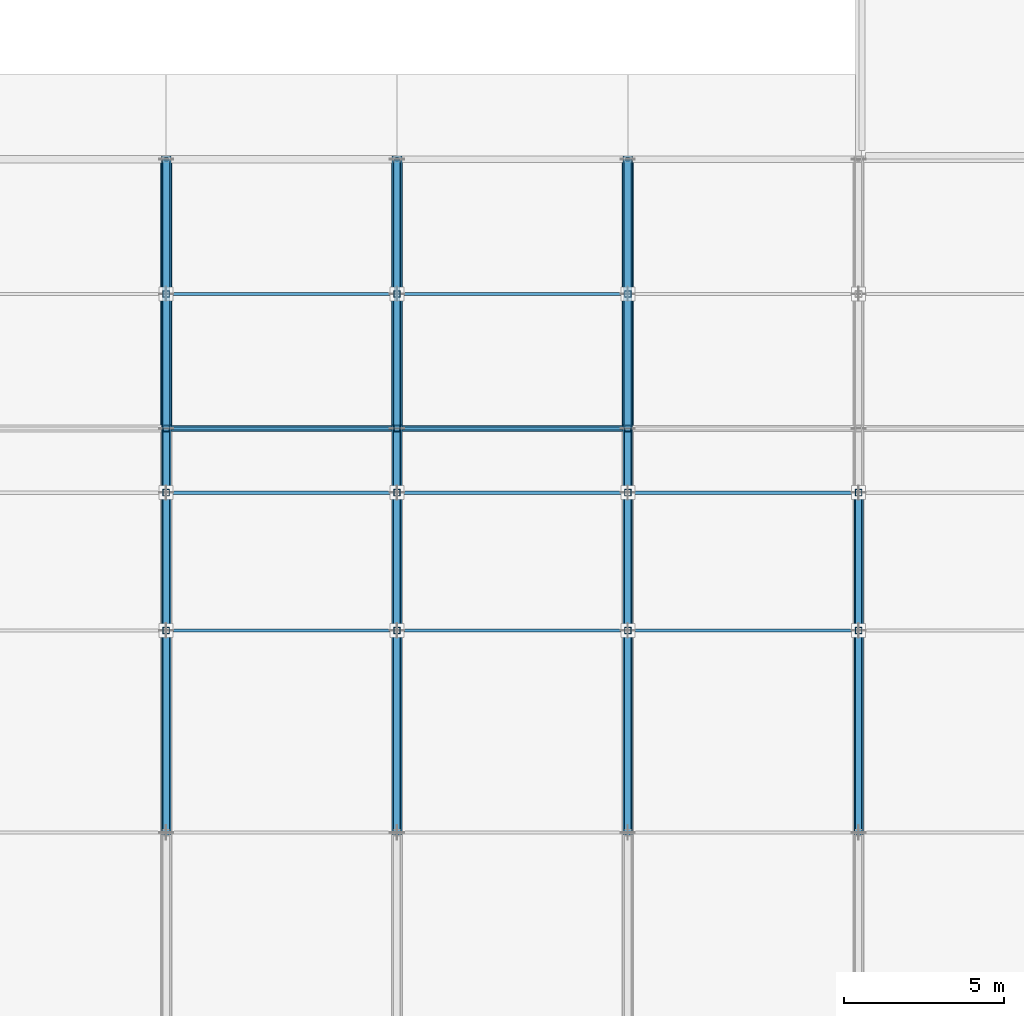
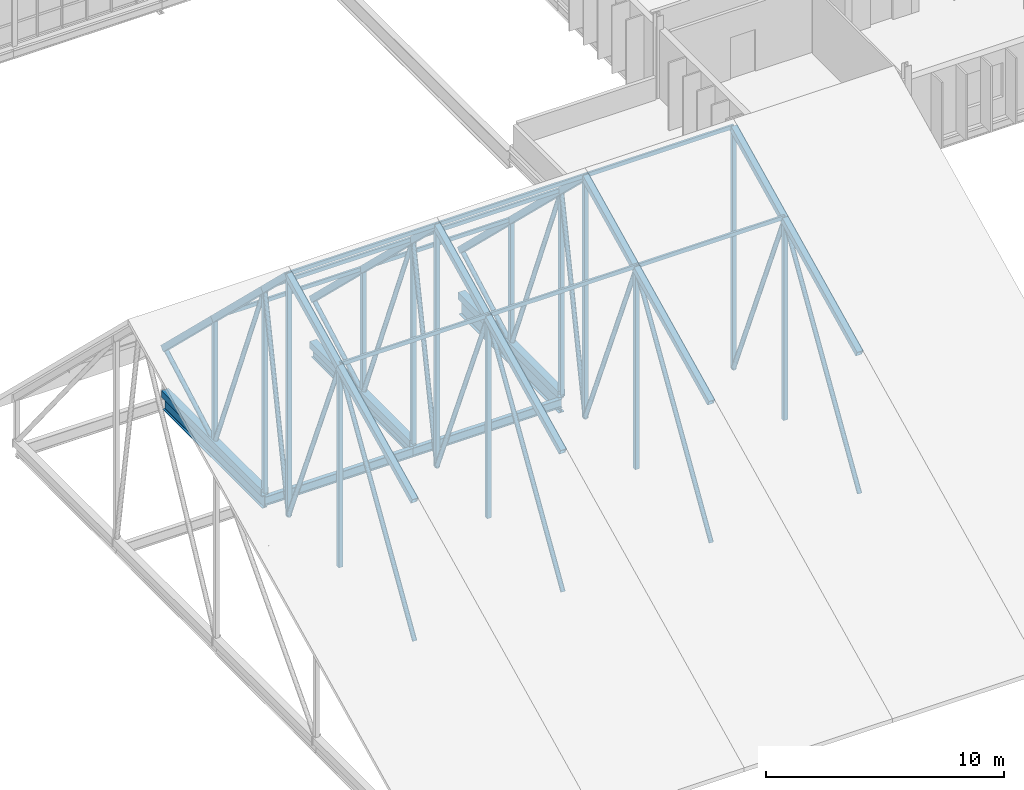
# One storey, part 27 of 99: 61 members, 5 beams.
"""IFC4 building model written with IfcOpenShell, lengths in metres."""

import ifcopenshell
import ifcopenshell.guid

model = None  # the IFC model being written
_history = None  # IfcOwnerHistory: only IFC2X3 demands one
_inside = {}  # id of a spatial element -> (the spatial element, [elements in it])
_under = {}  # id of a project, library or spatial element -> (it, [spatial elements below it])
_declared = {}  # id of a project -> (the project, [libraries it declares])
_typed = {}  # id of a type object -> (the type object, [elements of that type])
_made_of = {}  # id of a material, layer set ... -> (it, [elements and type objects made of it])


def new_model(schema):
    """Start an empty IFC model of exactly this schema.

    Asked for "IFC4X3", IfcOpenShell would pick the latest addendum, in which some entities
    have other attributes; the version numbers below select the first issue.
    IFC2X3 requires an IfcOwnerHistory on every rooted entity: one is made here for all.
    """
    global model, _history
    if schema == "IFC4X3":
        model = ifcopenshell.file(schema_version=(4, 3, 0, 0))
    else:
        model = ifcopenshell.file(schema=schema)
    _inside.clear()
    _under.clear()
    _declared.clear()
    _typed.clear()
    _made_of.clear()
    _history = None
    if model.schema == "IFC2X3":
        org = make("IfcOrganization", Name="unknown")
        user = make(
            "IfcPersonAndOrganization",
            ThePerson=make("IfcPerson", FamilyName="unknown"),
            TheOrganization=org,
        )
        app = make(
            "IfcApplication",
            ApplicationDeveloper=org,
            Version="unknown",
            ApplicationFullName="unknown",
            ApplicationIdentifier="unknown",
        )
        _history = make(
            "IfcOwnerHistory",
            OwningUser=user,
            OwningApplication=app,
            ChangeAction="ADDED",
            CreationDate=0,
        )
    return model


def make(cls, **values):
    """One entity of the class cls with the attributes given. An attribute that is None is left unset."""
    return model.create_entity(
        cls, **{name: value for name, value in values.items() if value is not None}
    )


def rooted(cls, **values):
    """An entity with a GlobalId (a new one), such as an element, a storey or a relation."""
    return make(cls, GlobalId=ifcopenshell.guid.new(), OwnerHistory=_history, **values)


def si_unit(unit_type, name, prefix=None):
    """IfcSIUnit, for example si_unit("LENGTHUNIT", "METRE", prefix="MILLI")."""
    return make("IfcSIUnit", UnitType=unit_type, Prefix=prefix, Name=name)


def assignment(units):
    """IfcUnitAssignment: the units of a project."""
    return None if units is None else make("IfcUnitAssignment", Units=units)


def point(xyz):
    """IfcCartesianPoint."""
    return None if xyz is None else make("IfcCartesianPoint", Coordinates=xyz)


def direction(xyz):
    """IfcDirection."""
    return None if xyz is None else make("IfcDirection", DirectionRatios=xyz)


def frame(location, z_axis=None, x_axis=None):
    """IfcAxis2Placement3D, a coordinate frame: its origin and axes. An axis left out is left unset."""
    return make(
        "IfcAxis2Placement3D",
        Location=point(location),
        Axis=direction(z_axis),
        RefDirection=direction(x_axis),
    )


def frame_2d(location, x_axis=None):
    """IfcAxis2Placement2D, a coordinate frame in the plane: its origin and x axis."""
    return make(
        "IfcAxis2Placement2D", Location=point(location), RefDirection=direction(x_axis)
    )


def origin():
    """The frame at (0, 0, 0) with its axes left unset."""
    return frame((0.0, 0.0, 0.0))


def origin_2d():
    """The frame at (0, 0) in the plane with its x axis left unset."""
    return frame_2d((0.0, 0.0))


def place(relative_to, where):
    """IfcLocalPlacement: puts the frame where relative to a parent placement (None: the world)."""
    return make(
        "IfcLocalPlacement", PlacementRelTo=relative_to, RelativePlacement=where
    )


def context(
    kind, dimensions, precision=None, world=None, true_north=None, identifier=None
):
    """IfcGeometricRepresentationContext, for example the 3D "Model" context."""
    return make(
        "IfcGeometricRepresentationContext",
        ContextIdentifier=identifier,
        ContextType=kind,
        CoordinateSpaceDimension=dimensions,
        Precision=precision,
        WorldCoordinateSystem=world,
        TrueNorth=true_north,
    )


def subcontext(parent, identifier, kind, view, scale=None):
    """IfcGeometricRepresentationSubContext, for example "Body" below "Model"."""
    return make(
        "IfcGeometricRepresentationSubContext",
        ContextIdentifier=identifier,
        ContextType=kind,
        ParentContext=parent,
        TargetScale=scale,
        TargetView=view,
    )


def project(units=None, contexts=None):
    """IfcProject with its units and contexts."""
    return rooted(
        "IfcProject",
        Name="project",
        RepresentationContexts=contexts,
        UnitsInContext=assignment(units),
    )


def spatial(cls, under=None, at=None, **own):
    """A site, building, storey or space (cls), placed at a placement, below another one or the project."""
    s = rooted(cls, ObjectPlacement=at, **own)
    if under is not None:
        _under.setdefault(under.id(), (under, []))[1].append(s)
    return s


def profile(cls, at=None, kind="AREA", **sizes):
    """A parametric profile (cls). Its sizes go by their IFC names, for example OverallWidth=200.0."""
    return make(cls, ProfileType=kind, Position=at, **sizes)


def hollow_rectangle(**sizes):
    """IfcRectangleHollowProfileDef."""
    return profile("IfcRectangleHollowProfileDef", **sizes)


def hollow_circle(**sizes):
    """IfcCircleHollowProfileDef."""
    return profile("IfcCircleHollowProfileDef", **sizes)


def i_section(**sizes):
    """IfcIShapeProfileDef."""
    return profile("IfcIShapeProfileDef", **sizes)


def extrude(swept, where, along, depth):
    """IfcExtrudedAreaSolid: the profile swept, set in the frame where, extruded along a direction by depth."""
    return make(
        "IfcExtrudedAreaSolid",
        SweptArea=swept,
        Position=where,
        ExtrudedDirection=direction(along),
        Depth=depth,
    )


def shape(context_of_items, identifier, shape_type, items):
    """IfcShapeRepresentation: the items that make up one representation, for example the "Body"."""
    return make(
        "IfcShapeRepresentation",
        ContextOfItems=context_of_items,
        RepresentationIdentifier=identifier,
        RepresentationType=shape_type,
        Items=items,
    )


def material(Name=None, Category=None):
    """IfcMaterial."""
    return make("IfcMaterial", Name=Name, Category=Category)


def material_profile(
    of_material, cross_section, Name=None, Category=None, Priority=None
):
    """IfcMaterialProfile: a cross section and its material."""
    return make(
        "IfcMaterialProfile",
        Name=Name,
        Material=of_material,
        Profile=cross_section,
        Priority=Priority,
        Category=Category,
    )


def profile_set(profiles, Name=None, composite=None):
    """IfcMaterialProfileSet."""
    return make(
        "IfcMaterialProfileSet",
        Name=Name,
        MaterialProfiles=profiles,
        CompositeProfile=composite,
    )


def made_of(thing, what):
    """Note that an element or type object is made of a material, layer set ...; save() writes the relation."""
    if what is not None:
        _made_of.setdefault(what.id(), (what, []))[1].append(thing)
    return thing


def type_object(cls, material=None, **own):
    """A type object (cls), such as IfcWallType, which elements share."""
    return made_of(rooted(cls, **own), material)


def element(
    cls,
    number,
    at=None,
    inside=None,
    cuts=None,
    type_object=None,
    material=None,
    context=None,
    identifier="Body",
    shape_type=None,
    held_by="IfcProductDefinitionShape",
    body=None,
    shapes=None,
    **own,
):
    """One element of the class cls, such as IfcWall. Its Tag is "e" and its number.

    at: its placement. inside: the storey or other place that contains it. cuts: it is an
    opening in that element (IfcRelVoidsElement). A single representation is given by context,
    identifier, shape_type and body (its items); several are given by shapes. held_by: the class
    of the entity that holds the representations. save() writes the other relations.
    """
    e = rooted(cls, Tag="e%d" % number, ObjectPlacement=at, **own)
    if body is not None:
        shapes = [shape(context, identifier, shape_type, body)]
    if shapes is not None:
        e.Representation = make(held_by, Representations=shapes)
    if inside is not None:
        _inside.setdefault(inside.id(), (inside, []))[1].append(e)
    if cuts is not None:
        rooted(
            "IfcRelVoidsElement", RelatingBuildingElement=cuts, RelatedOpeningElement=e
        )
    if type_object is not None:
        _typed.setdefault(type_object.id(), (type_object, []))[1].append(e)
    return made_of(e, material)


def aggregate(whole, parts):
    """IfcRelAggregates: a whole, such as a stair, and the parts it consists of."""
    return rooted("IfcRelAggregates", RelatingObject=whole, RelatedObjects=parts)


def save(model, path):
    """Write the relations noted so far, then the file.

    IfcRelAggregates (storeys below a building ...), IfcRelContainedInSpatialStructure (elements
    in a storey), IfcRelDefinesByType, IfcRelAssociatesMaterial and IfcRelDeclares: one each for
    every whole, place, type object, material and project.
    """
    for whole, parts in _under.values():
        aggregate(whole, parts)
    for where, things in _inside.values():
        rooted(
            "IfcRelContainedInSpatialStructure",
            RelatedElements=things,
            RelatingStructure=where,
        )
    for kind, things in _typed.values():
        rooted("IfcRelDefinesByType", RelatedObjects=things, RelatingType=kind)
    for what, things in _made_of.values():
        rooted("IfcRelAssociatesMaterial", RelatedObjects=things, RelatingMaterial=what)
    for by, libraries in _declared.values():
        rooted("IfcRelDeclares", RelatingContext=by, RelatedDefinitions=libraries)
    model.write(path)


model = new_model("IFC4")

# Units and contexts
model_context = context("Model", 3, precision=1e-05, world=origin(), true_north=direction((0.0, 1.0)))
body_context = subcontext(model_context, "Body", "Model", "MODEL_VIEW")
ifc_project = project(units=[si_unit("LENGTHUNIT", "METRE"), si_unit("AREAUNIT", "SQUARE_METRE"), si_unit("VOLUMEUNIT", "CUBIC_METRE"), si_unit("PLANEANGLEUNIT", "RADIAN"), si_unit("MASSUNIT", "GRAM", prefix="KILO")], contexts=[model_context])

# Site, building, storey
site_placement = place(None, origin())
site = spatial("IfcSite", under=ifc_project, at=site_placement, CompositionType="ELEMENT")
building_placement = place(site_placement, origin())
building = spatial("IfcBuilding", under=site, at=building_placement, Name="Qelthora Terrace Specialist Clinic", CompositionType="ELEMENT")
storey_placement = place(building_placement, frame((0.0, 0.0, 9.0)))
storey = spatial("IfcBuildingStorey", under=building, at=storey_placement, Name="L02", CompositionType="ELEMENT", Elevation=9.0)

# Beams
ifc_material = material(Name="Steel S355", Category="steel")
ifc_material_profile_1 = material_profile(ifc_material, i_section(OverallWidth=0.19091796875, OverallDepth=0.4599609375, WebThickness=0.010009765625, FlangeThickness=0.01611328125, FilletRadius=0.012939453125, at=origin_2d()), Name="W460X82")
ifc_profile_set_1 = profile_set([ifc_material_profile_1], Name="Steel S355")
beam_type_1 = type_object("IfcBeamType", Name="BM-W460X82", PredefinedType="BEAM", material=ifc_profile_set_1)
beam_1_placement = place(storey_placement, frame((72.0, 25.199951171875, -0.47998046875), z_axis=(1.0, 0.0, 0.0), x_axis=(0.0, 1.0, 0.0)))
element("IfcBeam", 1, at=beam_1_placement, inside=storey, type_object=beam_type_1, Name="Girder BMX-L02-0596", PredefinedType="BEAM", context=body_context, shape_type="SweptSolid", body=[
    extrude(i_section(OverallWidth=0.19091796875, OverallDepth=0.4599609375, WebThickness=0.010009765625, FlangeThickness=0.01611328125, FilletRadius=0.012939453125, at=origin_2d()), origin(), (0.0, 0.0, 1.0), 7.199951171875),
])
beam_2_placement = place(storey_placement, frame((72.0, 25.199951171875, -0.47998046875), z_axis=(0.0, 1.0, 0.0), x_axis=(-1.0, 0.0, 0.0)))
element("IfcBeam", 2, at=beam_2_placement, inside=storey, type_object=beam_type_1, Name="Girder BMY-L02-0818", PredefinedType="BEAM", context=body_context, shape_type="SweptSolid", body=[
    extrude(i_section(OverallWidth=0.19091796875, OverallDepth=0.4599609375, WebThickness=0.010009765625, FlangeThickness=0.01611328125, FilletRadius=0.012939453125, at=origin_2d()), origin(), (0.0, 0.0, 1.0), 8.400146484375),
])
ifc_material_profile_2 = material_profile(ifc_material, i_section(OverallWidth=0.193115234375, OverallDepth=0.466064453125, WebThickness=0.011474609375, FlangeThickness=0.01904296875, FilletRadius=0.012939453125, at=origin_2d()), Name="W460X97")
ifc_profile_set_2 = profile_set([ifc_material_profile_2], Name="Steel S355")
beam_type_2 = type_object("IfcBeamType", Name="BM-W460X97", PredefinedType="BEAM", material=ifc_profile_set_2)
beam_3_placement = place(storey_placement, frame((64.800048828125, 25.199951171875, -0.48291015625), z_axis=(1.0, 0.0, 0.0), x_axis=(0.0, 1.0, 0.0)))
element("IfcBeam", 3, at=beam_3_placement, inside=storey, type_object=beam_type_2, Name="Girder BMX-L02-0595", PredefinedType="BEAM", context=body_context, shape_type="SweptSolid", body=[
    extrude(i_section(OverallWidth=0.193115234375, OverallDepth=0.466064453125, WebThickness=0.011474609375, FlangeThickness=0.01904296875, FilletRadius=0.012939453125, at=origin_2d()), origin(), (0.0, 0.0, 1.0), 7.199951171875),
])
ifc_material_profile_3 = material_profile(ifc_material, i_section(OverallWidth=0.22998046875, OverallDepth=0.616943359375, WebThickness=0.01318359375, FlangeThickness=0.022216796875, FilletRadius=0.01611328125, at=origin_2d()), Name="W610X140")
ifc_profile_set_3 = profile_set([ifc_material_profile_3], Name="Steel S355")
beam_type_3 = type_object("IfcBeamType", Name="BM-W610X140", PredefinedType="BEAM", material=ifc_profile_set_3)
beam_4_placement = place(storey_placement, frame((64.800048828125, 25.199951171875, -0.55859375), z_axis=(0.0, 1.0, 0.0), x_axis=(-1.0, 0.0, 0.0)))
element("IfcBeam", 4, at=beam_4_placement, inside=storey, type_object=beam_type_3, Name="Girder BMY-L02-0814", PredefinedType="BEAM", context=body_context, shape_type="SweptSolid", body=[
    extrude(i_section(OverallWidth=0.22998046875, OverallDepth=0.616943359375, WebThickness=0.01318359375, FlangeThickness=0.022216796875, FilletRadius=0.01611328125, at=origin_2d()), origin(), (0.0, 0.0, 1.0), 8.400146484375),
])
ifc_material_profile_4 = material_profile(ifc_material, i_section(OverallWidth=0.26806640625, OverallDepth=0.77001953125, WebThickness=0.015625, FlangeThickness=0.025390625, FilletRadius=0.01904296875, at=origin_2d()), Name="W760X196")
ifc_profile_set_4 = profile_set([ifc_material_profile_4], Name="Steel S355")
beam_type_4 = type_object("IfcBeamType", Name="BM-W760X196", PredefinedType="BEAM", material=ifc_profile_set_4)
beam_5_placement = place(storey_placement, frame((79.199951171875, 25.199951171875, -0.635009765625), z_axis=(0.0, 1.0, 0.0), x_axis=(-1.0, 0.0, 0.0)))
element("IfcBeam", 5, at=beam_5_placement, inside=storey, type_object=beam_type_4, Name="Girder BMY-L02-0822", PredefinedType="BEAM", context=body_context, shape_type="SweptSolid", body=[
    extrude(i_section(OverallWidth=0.26806640625, OverallDepth=0.77001953125, WebThickness=0.015625, FlangeThickness=0.025390625, FilletRadius=0.01904296875, at=origin_2d()), origin(), (0.0, 0.0, 1.0), 8.400146484375),
])

# Members
ifc_material_profile_5 = material_profile(ifc_material, hollow_circle(Radius=0.109619140625, WallThickness=0.010009765625, at=origin_2d()), Name="CHS219X10")
ifc_profile_set_5 = profile_set([ifc_material_profile_5], Name="Steel S355")
member_type_1 = type_object("IfcMemberType", Name="MEM-BRACE-CHS219", PredefinedType="BRACE", material=ifc_profile_set_5)
member_1_placement = place(storey_placement, frame((64.800048828125, 12.60009765625, -0.050048828125), z_axis=(0.0, 0.523124328135, 0.852256380037), x_axis=(-1.0, 0.0, 0.0)))
element("IfcMember", 6, at=member_1_placement, inside=storey, type_object=member_type_1, Name="Hall roof truss TR-2 diagonal web 3", PredefinedType="BRACE", context=body_context, shape_type="SweptSolid", body=[
    extrude(hollow_circle(Radius=0.109619140625, WallThickness=0.010009765625, at=origin_2d()), origin(), (0.0, 0.0, 1.0), 12.042724609375),
])
member_2_placement = place(storey_placement, frame((64.800048828125, 18.89990234375, 10.21337890625), z_axis=(0.0, 0.386423305493, -0.922321543157), x_axis=(-1.0, 0.0, 0.0)))
element("IfcMember", 7, at=member_2_placement, inside=storey, type_object=member_type_1, Name="Hall roof truss TR-2 diagonal web 4", PredefinedType="BRACE", context=body_context, shape_type="SweptSolid", body=[
    extrude(hollow_circle(Radius=0.109619140625, WallThickness=0.010009765625, at=origin_2d()), origin(), (0.0, 0.0, 1.0), 11.1279296875),
])
member_3_placement = place(storey_placement, frame((64.800048828125, 23.199951171875, -0.050048828125), z_axis=(0.0, 0.188367218673, 0.982098666596), x_axis=(-1.0, 0.0, 0.0)))
element("IfcMember", 8, at=member_3_placement, inside=storey, type_object=member_type_1, Name="Hall roof truss TR-2 diagonal web 5", PredefinedType="BRACE", context=body_context, shape_type="SweptSolid", body=[
    extrude(hollow_circle(Radius=0.109619140625, WallThickness=0.010009765625, at=origin_2d()), origin(), (0.0, 0.0, 1.0), 10.61767578125),
])
member_4_placement = place(storey_placement, frame((64.800048828125, 25.199951171875, 10.37744140625), z_axis=(0.0, 0.373610064718, -0.927585855617), x_axis=(-1.0, 0.0, 0.0)))
element("IfcMember", 9, at=member_4_placement, inside=storey, type_object=member_type_1, Name="Hall roof truss TR-2 diagonal web 6", PredefinedType="BRACE", context=body_context, shape_type="SweptSolid", body=[
    extrude(hollow_circle(Radius=0.109619140625, WallThickness=0.010009765625, at=origin_2d()), origin(), (0.0, 0.0, 1.0), 11.241455078125),
])
member_5_placement = place(storey_placement, frame((64.800048828125, 29.39990234375, -0.050048828125), z_axis=(0.0, 0.876134179583, 0.482067318294), x_axis=(-1.0, 0.0, 0.0)))
element("IfcMember", 10, at=member_5_placement, inside=storey, type_object=member_type_1, Name="Hall roof truss TR-2 diagonal web 7", PredefinedType="BRACE", context=body_context, shape_type="SweptSolid", body=[
    extrude(hollow_circle(Radius=0.109619140625, WallThickness=0.010009765625, at=origin_2d()), origin(), (0.0, 0.0, 1.0), 4.7939453125),
])
member_6_placement = place(storey_placement, frame((72.0, 12.60009765625, -0.050048828125), z_axis=(0.0, 0.523124328135, 0.852256380037), x_axis=(-1.0, 0.0, 0.0)))
element("IfcMember", 11, at=member_6_placement, inside=storey, type_object=member_type_1, Name="Hall roof truss TR-3 diagonal web 3", PredefinedType="BRACE", context=body_context, shape_type="SweptSolid", body=[
    extrude(hollow_circle(Radius=0.109619140625, WallThickness=0.010009765625, at=origin_2d()), origin(), (0.0, 0.0, 1.0), 12.042724609375),
])
member_7_placement = place(storey_placement, frame((72.0, 18.89990234375, 10.21337890625), z_axis=(0.0, 0.386423305493, -0.922321543157), x_axis=(-1.0, 0.0, 0.0)))
element("IfcMember", 12, at=member_7_placement, inside=storey, type_object=member_type_1, Name="Hall roof truss TR-3 diagonal web 4", PredefinedType="BRACE", context=body_context, shape_type="SweptSolid", body=[
    extrude(hollow_circle(Radius=0.109619140625, WallThickness=0.010009765625, at=origin_2d()), origin(), (0.0, 0.0, 1.0), 11.1279296875),
])
member_8_placement = place(storey_placement, frame((72.0, 23.199951171875, -0.050048828125), z_axis=(0.0, 0.188367218673, 0.982098666596), x_axis=(-1.0, 0.0, 0.0)))
element("IfcMember", 13, at=member_8_placement, inside=storey, type_object=member_type_1, Name="Hall roof truss TR-3 diagonal web 5", PredefinedType="BRACE", context=body_context, shape_type="SweptSolid", body=[
    extrude(hollow_circle(Radius=0.109619140625, WallThickness=0.010009765625, at=origin_2d()), origin(), (0.0, 0.0, 1.0), 10.61767578125),
])
member_9_placement = place(storey_placement, frame((72.0, 25.199951171875, 10.37744140625), z_axis=(0.0, 0.373610064718, -0.927585855617), x_axis=(-1.0, 0.0, 0.0)))
element("IfcMember", 14, at=member_9_placement, inside=storey, type_object=member_type_1, Name="Hall roof truss TR-3 diagonal web 6", PredefinedType="BRACE", context=body_context, shape_type="SweptSolid", body=[
    extrude(hollow_circle(Radius=0.109619140625, WallThickness=0.010009765625, at=origin_2d()), origin(), (0.0, 0.0, 1.0), 11.241455078125),
])
member_10_placement = place(storey_placement, frame((72.0, 29.39990234375, -0.050048828125), z_axis=(0.0, 0.876134179583, 0.482067318294), x_axis=(-1.0, 0.0, 0.0)))
element("IfcMember", 15, at=member_10_placement, inside=storey, type_object=member_type_1, Name="Hall roof truss TR-3 diagonal web 7", PredefinedType="BRACE", context=body_context, shape_type="SweptSolid", body=[
    extrude(hollow_circle(Radius=0.109619140625, WallThickness=0.010009765625, at=origin_2d()), origin(), (0.0, 0.0, 1.0), 4.7939453125),
])
member_11_placement = place(storey_placement, frame((79.199951171875, 12.60009765625, -0.050048828125), z_axis=(0.0, 0.523124328135, 0.852256380037), x_axis=(-1.0, 0.0, 0.0)))
element("IfcMember", 16, at=member_11_placement, inside=storey, type_object=member_type_1, Name="Hall roof truss TR-4 diagonal web 3", PredefinedType="BRACE", context=body_context, shape_type="SweptSolid", body=[
    extrude(hollow_circle(Radius=0.109619140625, WallThickness=0.010009765625, at=origin_2d()), origin(), (0.0, 0.0, 1.0), 12.042724609375),
])
member_12_placement = place(storey_placement, frame((79.199951171875, 18.89990234375, 10.21337890625), z_axis=(0.0, 0.386423305493, -0.922321543157), x_axis=(-1.0, 0.0, 0.0)))
element("IfcMember", 17, at=member_12_placement, inside=storey, type_object=member_type_1, Name="Hall roof truss TR-4 diagonal web 4", PredefinedType="BRACE", context=body_context, shape_type="SweptSolid", body=[
    extrude(hollow_circle(Radius=0.109619140625, WallThickness=0.010009765625, at=origin_2d()), origin(), (0.0, 0.0, 1.0), 11.1279296875),
])
member_13_placement = place(storey_placement, frame((79.199951171875, 23.199951171875, -0.050048828125), z_axis=(0.0, 0.188367218673, 0.982098666596), x_axis=(-1.0, 0.0, 0.0)))
element("IfcMember", 18, at=member_13_placement, inside=storey, type_object=member_type_1, Name="Hall roof truss TR-4 diagonal web 5", PredefinedType="BRACE", context=body_context, shape_type="SweptSolid", body=[
    extrude(hollow_circle(Radius=0.109619140625, WallThickness=0.010009765625, at=origin_2d()), origin(), (0.0, 0.0, 1.0), 10.61767578125),
])
member_14_placement = place(storey_placement, frame((79.199951171875, 25.199951171875, 10.37744140625), z_axis=(0.0, 0.373610064718, -0.927585855617), x_axis=(-1.0, 0.0, 0.0)))
element("IfcMember", 19, at=member_14_placement, inside=storey, type_object=member_type_1, Name="Hall roof truss TR-4 diagonal web 6", PredefinedType="BRACE", context=body_context, shape_type="SweptSolid", body=[
    extrude(hollow_circle(Radius=0.109619140625, WallThickness=0.010009765625, at=origin_2d()), origin(), (0.0, 0.0, 1.0), 11.241455078125),
])
member_15_placement = place(storey_placement, frame((79.199951171875, 29.39990234375, -0.050048828125), z_axis=(0.0, 0.876134179583, 0.482067318294), x_axis=(-1.0, 0.0, 0.0)))
element("IfcMember", 20, at=member_15_placement, inside=storey, type_object=member_type_1, Name="Hall roof truss TR-4 diagonal web 7", PredefinedType="BRACE", context=body_context, shape_type="SweptSolid", body=[
    extrude(hollow_circle(Radius=0.109619140625, WallThickness=0.010009765625, at=origin_2d()), origin(), (0.0, 0.0, 1.0), 4.7939453125),
])
member_16_placement = place(storey_placement, frame((86.39990234375, 12.60009765625, -0.050048828125), z_axis=(0.0, 0.523124328135, 0.852256380037), x_axis=(-1.0, 0.0, 0.0)))
element("IfcMember", 21, at=member_16_placement, inside=storey, type_object=member_type_1, Name="Hall roof truss TR-5 diagonal web 3", PredefinedType="BRACE", context=body_context, shape_type="SweptSolid", body=[
    extrude(hollow_circle(Radius=0.109619140625, WallThickness=0.010009765625, at=origin_2d()), origin(), (0.0, 0.0, 1.0), 12.042724609375),
])
member_17_placement = place(storey_placement, frame((86.39990234375, 18.89990234375, 10.21337890625), z_axis=(0.0, 0.386423305493, -0.922321543157), x_axis=(-1.0, 0.0, 0.0)))
element("IfcMember", 22, at=member_17_placement, inside=storey, type_object=member_type_1, Name="Hall roof truss TR-5 diagonal web 4", PredefinedType="BRACE", context=body_context, shape_type="SweptSolid", body=[
    extrude(hollow_circle(Radius=0.109619140625, WallThickness=0.010009765625, at=origin_2d()), origin(), (0.0, 0.0, 1.0), 11.1279296875),
])
ifc_material_profile_6 = material_profile(ifc_material, hollow_rectangle(XDim=0.199951171875, YDim=0.199951171875, WallThickness=0.010009765625, at=origin_2d()), Name="HSS200X200X10")
ifc_profile_set_6 = profile_set([ifc_material_profile_6], Name="Steel S355")
member_type_2 = type_object("IfcMemberType", Name="MEM-BRACE-HSS200", PredefinedType="BRACE", material=ifc_profile_set_6)
member_18_placement = place(storey_placement, frame((64.800048828125, 18.89990234375, -0.050048828125), z_axis=(0.0, 0.0, 1.0), x_axis=(1.0, 0.0, 0.0)))
element("IfcMember", 23, at=member_18_placement, inside=storey, type_object=member_type_2, Name="Hall roof truss TR-2 vertical web 4", PredefinedType="BRACE", context=body_context, shape_type="SweptSolid", body=[
    extrude(hollow_rectangle(XDim=0.199951171875, YDim=0.199951171875, WallThickness=0.010009765625, at=origin_2d()), origin(), (0.0, 0.0, 1.0), 10.263427734375),
])
member_19_placement = place(storey_placement, frame((64.800048828125, 23.199951171875, -0.050048828125), z_axis=(0.0, 0.0, 1.0), x_axis=(1.0, 0.0, 0.0)))
element("IfcMember", 24, at=member_19_placement, inside=storey, type_object=member_type_2, Name="Hall roof truss TR-2 vertical web 5", PredefinedType="BRACE", context=body_context, shape_type="SweptSolid", body=[
    extrude(hollow_rectangle(XDim=0.199951171875, YDim=0.199951171875, WallThickness=0.010009765625, at=origin_2d()), origin(), (0.0, 0.0, 1.0), 12.360107421875),
])
member_20_placement = place(storey_placement, frame((64.800048828125, 25.199951171875, -0.050048828125), z_axis=(0.0, 0.0, 1.0), x_axis=(1.0, 0.0, 0.0)))
element("IfcMember", 25, at=member_20_placement, inside=storey, type_object=member_type_2, Name="Hall roof truss TR-2 vertical web 6", PredefinedType="BRACE", context=body_context, shape_type="SweptSolid", body=[
    extrude(hollow_rectangle(XDim=0.199951171875, YDim=0.199951171875, WallThickness=0.010009765625, at=origin_2d()), origin(), (0.0, 0.0, 1.0), 10.427490234375),
])
member_21_placement = place(storey_placement, frame((64.800048828125, 29.39990234375, -0.050048828125), z_axis=(0.0, 0.0, 1.0), x_axis=(1.0, 0.0, 0.0)))
element("IfcMember", 26, at=member_21_placement, inside=storey, type_object=member_type_2, Name="Hall roof truss TR-2 vertical web 7", PredefinedType="BRACE", context=body_context, shape_type="SweptSolid", body=[
    extrude(hollow_rectangle(XDim=0.199951171875, YDim=0.199951171875, WallThickness=0.010009765625, at=origin_2d()), origin(), (0.0, 0.0, 1.0), 6.369140625),
])
member_22_placement = place(storey_placement, frame((72.0, 18.89990234375, -0.050048828125), z_axis=(0.0, 0.0, 1.0), x_axis=(1.0, 0.0, 0.0)))
element("IfcMember", 27, at=member_22_placement, inside=storey, type_object=member_type_2, Name="Hall roof truss TR-3 vertical web 4", PredefinedType="BRACE", context=body_context, shape_type="SweptSolid", body=[
    extrude(hollow_rectangle(XDim=0.199951171875, YDim=0.199951171875, WallThickness=0.010009765625, at=origin_2d()), origin(), (0.0, 0.0, 1.0), 10.263427734375),
])
member_23_placement = place(storey_placement, frame((72.0, 23.199951171875, -0.050048828125), z_axis=(0.0, 0.0, 1.0), x_axis=(1.0, 0.0, 0.0)))
element("IfcMember", 28, at=member_23_placement, inside=storey, type_object=member_type_2, Name="Hall roof truss TR-3 vertical web 5", PredefinedType="BRACE", context=body_context, shape_type="SweptSolid", body=[
    extrude(hollow_rectangle(XDim=0.199951171875, YDim=0.199951171875, WallThickness=0.010009765625, at=origin_2d()), origin(), (0.0, 0.0, 1.0), 12.360107421875),
])
member_24_placement = place(storey_placement, frame((72.0, 25.199951171875, -0.050048828125), z_axis=(0.0, 0.0, 1.0), x_axis=(1.0, 0.0, 0.0)))
element("IfcMember", 29, at=member_24_placement, inside=storey, type_object=member_type_2, Name="Hall roof truss TR-3 vertical web 6", PredefinedType="BRACE", context=body_context, shape_type="SweptSolid", body=[
    extrude(hollow_rectangle(XDim=0.199951171875, YDim=0.199951171875, WallThickness=0.010009765625, at=origin_2d()), origin(), (0.0, 0.0, 1.0), 10.427490234375),
])
member_25_placement = place(storey_placement, frame((72.0, 29.39990234375, -0.050048828125), z_axis=(0.0, 0.0, 1.0), x_axis=(1.0, 0.0, 0.0)))
element("IfcMember", 30, at=member_25_placement, inside=storey, type_object=member_type_2, Name="Hall roof truss TR-3 vertical web 7", PredefinedType="BRACE", context=body_context, shape_type="SweptSolid", body=[
    extrude(hollow_rectangle(XDim=0.199951171875, YDim=0.199951171875, WallThickness=0.010009765625, at=origin_2d()), origin(), (0.0, 0.0, 1.0), 6.369140625),
])
member_26_placement = place(storey_placement, frame((79.199951171875, 18.89990234375, -0.050048828125), z_axis=(0.0, 0.0, 1.0), x_axis=(1.0, 0.0, 0.0)))
element("IfcMember", 31, at=member_26_placement, inside=storey, type_object=member_type_2, Name="Hall roof truss TR-4 vertical web 4", PredefinedType="BRACE", context=body_context, shape_type="SweptSolid", body=[
    extrude(hollow_rectangle(XDim=0.199951171875, YDim=0.199951171875, WallThickness=0.010009765625, at=origin_2d()), origin(), (0.0, 0.0, 1.0), 10.263427734375),
])
member_27_placement = place(storey_placement, frame((79.199951171875, 23.199951171875, -0.050048828125), z_axis=(0.0, 0.0, 1.0), x_axis=(1.0, 0.0, 0.0)))
element("IfcMember", 32, at=member_27_placement, inside=storey, type_object=member_type_2, Name="Hall roof truss TR-4 vertical web 5", PredefinedType="BRACE", context=body_context, shape_type="SweptSolid", body=[
    extrude(hollow_rectangle(XDim=0.199951171875, YDim=0.199951171875, WallThickness=0.010009765625, at=origin_2d()), origin(), (0.0, 0.0, 1.0), 12.360107421875),
])
member_28_placement = place(storey_placement, frame((79.199951171875, 25.199951171875, -0.050048828125), z_axis=(0.0, 0.0, 1.0), x_axis=(1.0, 0.0, 0.0)))
element("IfcMember", 33, at=member_28_placement, inside=storey, type_object=member_type_2, Name="Hall roof truss TR-4 vertical web 6", PredefinedType="BRACE", context=body_context, shape_type="SweptSolid", body=[
    extrude(hollow_rectangle(XDim=0.199951171875, YDim=0.199951171875, WallThickness=0.010009765625, at=origin_2d()), origin(), (0.0, 0.0, 1.0), 10.427490234375),
])
member_29_placement = place(storey_placement, frame((79.199951171875, 29.39990234375, -0.050048828125), z_axis=(0.0, 0.0, 1.0), x_axis=(1.0, 0.0, 0.0)))
element("IfcMember", 34, at=member_29_placement, inside=storey, type_object=member_type_2, Name="Hall roof truss TR-4 vertical web 7", PredefinedType="BRACE", context=body_context, shape_type="SweptSolid", body=[
    extrude(hollow_rectangle(XDim=0.199951171875, YDim=0.199951171875, WallThickness=0.010009765625, at=origin_2d()), origin(), (0.0, 0.0, 1.0), 6.369140625),
])
member_30_placement = place(storey_placement, frame((86.39990234375, 18.89990234375, -0.050048828125), z_axis=(0.0, 0.0, 1.0), x_axis=(1.0, 0.0, 0.0)))
element("IfcMember", 35, at=member_30_placement, inside=storey, type_object=member_type_2, Name="Hall roof truss TR-5 vertical web 4", PredefinedType="BRACE", context=body_context, shape_type="SweptSolid", body=[
    extrude(hollow_rectangle(XDim=0.199951171875, YDim=0.199951171875, WallThickness=0.010009765625, at=origin_2d()), origin(), (0.0, 0.0, 1.0), 10.263427734375),
])
member_31_placement = place(storey_placement, frame((86.39990234375, 23.199951171875, -0.050048828125), z_axis=(0.0, 0.0, 1.0), x_axis=(1.0, 0.0, 0.0)))
element("IfcMember", 36, at=member_31_placement, inside=storey, type_object=member_type_2, Name="Hall roof truss TR-5 vertical web 5", PredefinedType="BRACE", context=body_context, shape_type="SweptSolid", body=[
    extrude(hollow_rectangle(XDim=0.199951171875, YDim=0.199951171875, WallThickness=0.010009765625, at=origin_2d()), origin(), (0.0, 0.0, 1.0), 12.360107421875),
])
ifc_material_profile_7 = material_profile(ifc_material, hollow_rectangle(XDim=0.300048828125, YDim=0.300048828125, WallThickness=0.011962890625, at=origin_2d()), Name="HSS300X300X12")
ifc_profile_set_7 = profile_set([ifc_material_profile_7], Name="Steel S355")
member_type_3 = type_object("IfcMemberType", Name="MEM-CHORD-HSS300", PredefinedType="CHORD", material=ifc_profile_set_7)
member_32_placement = place(storey_placement, frame((64.800048828125, 12.60009765625, 7.141357421875), z_axis=(0.0, 0.898827691834, 0.438302156501), x_axis=(-1.0, 0.0, 0.0)))
element("IfcMember", 37, at=member_32_placement, inside=storey, type_object=member_type_3, Name="Hall roof truss TR-2 top chord 3", PredefinedType="CHORD", context=body_context, shape_type="SweptSolid", body=[
    extrude(hollow_rectangle(XDim=0.300048828125, YDim=0.300048828125, WallThickness=0.011962890625, at=origin_2d()), origin(), (0.0, 0.0, 1.0), 7.009033203125),
])
member_33_placement = place(storey_placement, frame((64.800048828125, 18.89990234375, 10.21337890625), z_axis=(0.0, 0.898842983397, 0.438270796651), x_axis=(-1.0, 0.0, 0.0)))
element("IfcMember", 38, at=member_33_placement, inside=storey, type_object=member_type_3, Name="Hall roof truss TR-2 top chord 4", PredefinedType="CHORD", context=body_context, shape_type="SweptSolid", body=[
    extrude(hollow_rectangle(XDim=0.300048828125, YDim=0.300048828125, WallThickness=0.011962890625, at=origin_2d()), origin(), (0.0, 0.0, 1.0), 4.783935546875),
])
member_34_placement = place(storey_placement, frame((64.800048828125, 23.199951171875, 12.31005859375), z_axis=(0.0, 0.719117037944, -0.694888973677), x_axis=(-1.0, 0.0, 0.0)))
element("IfcMember", 39, at=member_34_placement, inside=storey, type_object=member_type_3, Name="Hall roof truss TR-2 top chord 5", PredefinedType="CHORD", context=body_context, shape_type="SweptSolid", body=[
    extrude(hollow_rectangle(XDim=0.300048828125, YDim=0.300048828125, WallThickness=0.011962890625, at=origin_2d()), origin(), (0.0, 0.0, 1.0), 2.78125),
])
for number, where, z_axis, x_axis, name in (
    (40, (64.800048828125, 25.199951171875, 10.37744140625), (0.0, 0.719125534205, -0.694880181078), (-1.0, 0.0, 0.0), "Hall roof truss TR-2 top chord 6"),
    (41, (64.800048828125, 29.39990234375, 6.319091796875), (0.0, 0.719166606397, -0.694837673305), (-1.0, 0.0, 0.0), "Hall roof truss TR-2 top chord 7"),
):
    element("IfcMember", number, at=place(storey_placement, frame(where, z_axis=z_axis, x_axis=x_axis)), inside=storey, type_object=member_type_3, Name=name, PredefinedType="CHORD", context=body_context, shape_type="SweptSolid", body=[
        extrude(hollow_rectangle(XDim=0.300048828125, YDim=0.300048828125, WallThickness=0.011962890625, at=origin_2d()), origin(), (0.0, 0.0, 1.0), 5.84033203125),
    ])
member_35_placement = place(storey_placement, frame((72.0, 12.60009765625, 7.141357421875), z_axis=(0.0, 0.898827691834, 0.438302156501), x_axis=(-1.0, 0.0, 0.0)))
element("IfcMember", 42, at=member_35_placement, inside=storey, type_object=member_type_3, Name="Hall roof truss TR-3 top chord 3", PredefinedType="CHORD", context=body_context, shape_type="SweptSolid", body=[
    extrude(hollow_rectangle(XDim=0.300048828125, YDim=0.300048828125, WallThickness=0.011962890625, at=origin_2d()), origin(), (0.0, 0.0, 1.0), 7.009033203125),
])
member_36_placement = place(storey_placement, frame((72.0, 18.89990234375, 10.21337890625), z_axis=(0.0, 0.898842983397, 0.438270796651), x_axis=(-1.0, 0.0, 0.0)))
element("IfcMember", 43, at=member_36_placement, inside=storey, type_object=member_type_3, Name="Hall roof truss TR-3 top chord 4", PredefinedType="CHORD", context=body_context, shape_type="SweptSolid", body=[
    extrude(hollow_rectangle(XDim=0.300048828125, YDim=0.300048828125, WallThickness=0.011962890625, at=origin_2d()), origin(), (0.0, 0.0, 1.0), 4.783935546875),
])
member_37_placement = place(storey_placement, frame((72.0, 23.199951171875, 12.31005859375), z_axis=(0.0, 0.719117037944, -0.694888973677), x_axis=(-1.0, 0.0, 0.0)))
element("IfcMember", 44, at=member_37_placement, inside=storey, type_object=member_type_3, Name="Hall roof truss TR-3 top chord 5", PredefinedType="CHORD", context=body_context, shape_type="SweptSolid", body=[
    extrude(hollow_rectangle(XDim=0.300048828125, YDim=0.300048828125, WallThickness=0.011962890625, at=origin_2d()), origin(), (0.0, 0.0, 1.0), 2.78125),
])
for number, where, z_axis, x_axis, name in (
    (45, (72.0, 25.199951171875, 10.37744140625), (0.0, 0.719125534205, -0.694880181078), (-1.0, 0.0, 0.0), "Hall roof truss TR-3 top chord 6"),
    (46, (72.0, 29.39990234375, 6.319091796875), (0.0, 0.719166606397, -0.694837673305), (-1.0, 0.0, 0.0), "Hall roof truss TR-3 top chord 7"),
):
    element("IfcMember", number, at=place(storey_placement, frame(where, z_axis=z_axis, x_axis=x_axis)), inside=storey, type_object=member_type_3, Name=name, PredefinedType="CHORD", context=body_context, shape_type="SweptSolid", body=[
        extrude(hollow_rectangle(XDim=0.300048828125, YDim=0.300048828125, WallThickness=0.011962890625, at=origin_2d()), origin(), (0.0, 0.0, 1.0), 5.84033203125),
    ])
member_38_placement = place(storey_placement, frame((79.199951171875, 12.60009765625, 7.141357421875), z_axis=(0.0, 0.898827691834, 0.438302156501), x_axis=(-1.0, 0.0, 0.0)))
element("IfcMember", 47, at=member_38_placement, inside=storey, type_object=member_type_3, Name="Hall roof truss TR-4 top chord 3", PredefinedType="CHORD", context=body_context, shape_type="SweptSolid", body=[
    extrude(hollow_rectangle(XDim=0.300048828125, YDim=0.300048828125, WallThickness=0.011962890625, at=origin_2d()), origin(), (0.0, 0.0, 1.0), 7.009033203125),
])
member_39_placement = place(storey_placement, frame((79.199951171875, 18.89990234375, 10.21337890625), z_axis=(0.0, 0.898842983397, 0.438270796651), x_axis=(-1.0, 0.0, 0.0)))
element("IfcMember", 48, at=member_39_placement, inside=storey, type_object=member_type_3, Name="Hall roof truss TR-4 top chord 4", PredefinedType="CHORD", context=body_context, shape_type="SweptSolid", body=[
    extrude(hollow_rectangle(XDim=0.300048828125, YDim=0.300048828125, WallThickness=0.011962890625, at=origin_2d()), origin(), (0.0, 0.0, 1.0), 4.783935546875),
])
member_40_placement = place(storey_placement, frame((79.199951171875, 23.199951171875, 12.31005859375), z_axis=(0.0, 0.719117037944, -0.694888973677), x_axis=(-1.0, 0.0, 0.0)))
element("IfcMember", 49, at=member_40_placement, inside=storey, type_object=member_type_3, Name="Hall roof truss TR-4 top chord 5", PredefinedType="CHORD", context=body_context, shape_type="SweptSolid", body=[
    extrude(hollow_rectangle(XDim=0.300048828125, YDim=0.300048828125, WallThickness=0.011962890625, at=origin_2d()), origin(), (0.0, 0.0, 1.0), 2.78125),
])
for number, where, z_axis, x_axis, name in (
    (50, (79.199951171875, 25.199951171875, 10.37744140625), (0.0, 0.719125534205, -0.694880181078), (-1.0, 0.0, 0.0), "Hall roof truss TR-4 top chord 6"),
    (51, (79.199951171875, 29.39990234375, 6.319091796875), (0.0, 0.719166606397, -0.694837673305), (-1.0, 0.0, 0.0), "Hall roof truss TR-4 top chord 7"),
):
    element("IfcMember", number, at=place(storey_placement, frame(where, z_axis=z_axis, x_axis=x_axis)), inside=storey, type_object=member_type_3, Name=name, PredefinedType="CHORD", context=body_context, shape_type="SweptSolid", body=[
        extrude(hollow_rectangle(XDim=0.300048828125, YDim=0.300048828125, WallThickness=0.011962890625, at=origin_2d()), origin(), (0.0, 0.0, 1.0), 5.84033203125),
    ])
member_41_placement = place(storey_placement, frame((86.39990234375, 12.60009765625, 7.141357421875), z_axis=(0.0, 0.898827691834, 0.438302156501), x_axis=(-1.0, 0.0, 0.0)))
element("IfcMember", 52, at=member_41_placement, inside=storey, type_object=member_type_3, Name="Hall roof truss TR-5 top chord 3", PredefinedType="CHORD", context=body_context, shape_type="SweptSolid", body=[
    extrude(hollow_rectangle(XDim=0.300048828125, YDim=0.300048828125, WallThickness=0.011962890625, at=origin_2d()), origin(), (0.0, 0.0, 1.0), 7.009033203125),
])
member_42_placement = place(storey_placement, frame((86.39990234375, 18.89990234375, 10.21337890625), z_axis=(0.0, 0.898842983397, 0.438270796651), x_axis=(-1.0, 0.0, 0.0)))
element("IfcMember", 53, at=member_42_placement, inside=storey, type_object=member_type_3, Name="Hall roof truss TR-5 top chord 4", PredefinedType="CHORD", context=body_context, shape_type="SweptSolid", body=[
    extrude(hollow_rectangle(XDim=0.300048828125, YDim=0.300048828125, WallThickness=0.011962890625, at=origin_2d()), origin(), (0.0, 0.0, 1.0), 4.783935546875),
])
ifc_material_profile_8 = material_profile(ifc_material, hollow_rectangle(XDim=0.35009765625, YDim=0.35009765625, WallThickness=0.01611328125, at=origin_2d()), Name="HSS350X350X16")
ifc_profile_set_8 = profile_set([ifc_material_profile_8], Name="Steel S355")
member_type_4 = type_object("IfcMemberType", Name="MEM-CHORD-HSS350", PredefinedType="CHORD", material=ifc_profile_set_8)
for number, where, z_axis, x_axis, name in (
    (54, (64.800048828125, 25.199951171875, -0.050048828125), (0.0, 1.0, 0.0), (-1.0, 0.0, 0.0), "Hall roof truss TR-2 bottom chord 2"),
    (55, (72.0, 25.199951171875, -0.050048828125), (0.0, 1.0, 0.0), (-1.0, 0.0, 0.0), "Hall roof truss TR-3 bottom chord 2"),
    (56, (79.199951171875, 25.199951171875, -0.050048828125), (0.0, 1.0, 0.0), (-1.0, 0.0, 0.0), "Hall roof truss TR-4 bottom chord 2"),
):
    element("IfcMember", number, at=place(storey_placement, frame(where, z_axis=z_axis, x_axis=x_axis)), inside=storey, type_object=member_type_4, Name=name, PredefinedType="CHORD", context=body_context, shape_type="SweptSolid", body=[
        extrude(hollow_rectangle(XDim=0.35009765625, YDim=0.35009765625, WallThickness=0.01611328125, at=origin_2d()), origin(), (0.0, 0.0, 1.0), 8.400146484375),
    ])
ifc_material_profile_9 = material_profile(ifc_material, hollow_rectangle(XDim=0.10009765625, YDim=0.199951171875, WallThickness=0.008056640625, at=origin_2d()), Name="HSS200X100X8")
ifc_profile_set_9 = profile_set([ifc_material_profile_9], Name="Steel S355")
member_type_5 = type_object("IfcMemberType", Name="MEM-PURLIN-HSS200", PredefinedType="PURLIN", material=ifc_profile_set_9)
for number, where, z_axis, x_axis, name in (
    (57, (64.800048828125, 18.89990234375, 10.329345703125), (1.0, 0.0, 0.0), (0.0, 1.0, 0.0), "Hall roof purlin V1-PRL-012"),
    (58, (72.0, 18.89990234375, 10.329345703125), (1.0, 0.0, 0.0), (0.0, 1.0, 0.0), "Hall roof purlin V1-PRL-013"),
    (59, (79.199951171875, 18.89990234375, 10.329345703125), (1.0, 0.0, 0.0), (0.0, 1.0, 0.0), "Hall roof purlin V1-PRL-014"),
    (60, (64.800048828125, 23.199951171875, 12.3740234375), (1.0, 0.0, 0.0), (0.0, 1.0, 0.0), "Hall roof purlin V1-PRL-017"),
    (61, (72.0, 23.199951171875, 12.3740234375), (1.0, 0.0, 0.0), (0.0, 1.0, 0.0), "Hall roof purlin V1-PRL-018"),
    (62, (79.199951171875, 23.199951171875, 12.3740234375), (1.0, 0.0, 0.0), (0.0, 1.0, 0.0), "Hall roof purlin V1-PRL-019"),
    (63, (64.800048828125, 25.199951171875, 10.44140625), (1.0, 0.0, 0.0), (0.0, 1.0, 0.0), "Hall roof purlin V1-PRL-022"),
    (64, (72.0, 25.199951171875, 10.44140625), (1.0, 0.0, 0.0), (0.0, 1.0, 0.0), "Hall roof purlin V1-PRL-023"),
    (65, (64.800048828125, 29.39990234375, 6.38330078125), (1.0, 0.0, 0.0), (0.0, 1.0, 0.0), "Hall roof purlin V1-PRL-027"),
    (66, (72.0, 29.39990234375, 6.38330078125), (1.0, 0.0, 0.0), (0.0, 1.0, 0.0), "Hall roof purlin V1-PRL-028"),
):
    element("IfcMember", number, at=place(storey_placement, frame(where, z_axis=z_axis, x_axis=x_axis)), inside=storey, type_object=member_type_5, Name=name, PredefinedType="PURLIN", context=body_context, shape_type="SweptSolid", body=[
        extrude(hollow_rectangle(XDim=0.10009765625, YDim=0.199951171875, WallThickness=0.008056640625, at=origin_2d()), origin(), (0.0, 0.0, 1.0), 7.199951171875),
    ])

save(model, "model.ifc")
